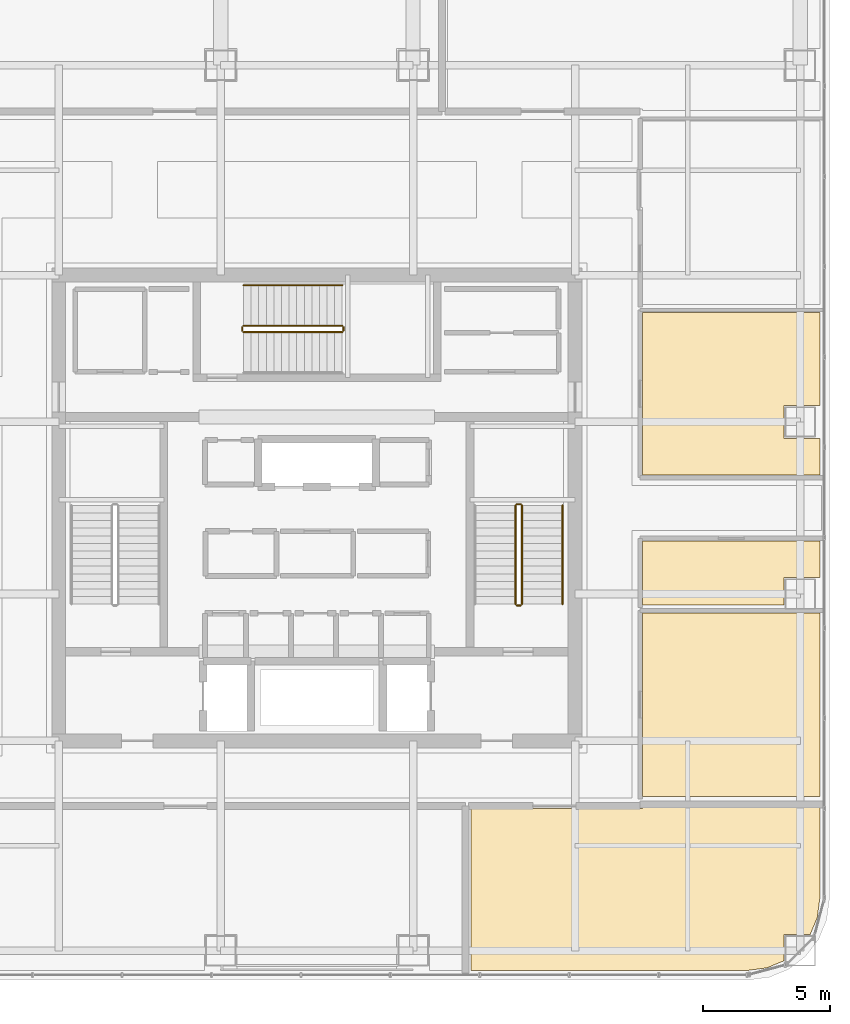
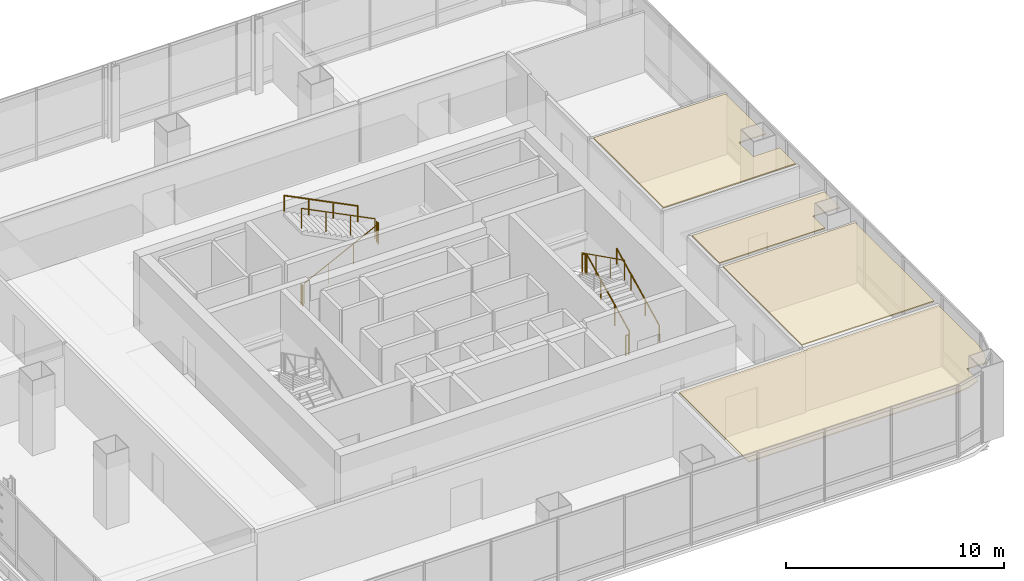
# One storey, part 41 of 42: 10 railings, 4 coverings.
"""IFC4 building model written with IfcOpenShell, lengths in metres."""

from ifc_helpers import new_model, si_unit, direction, frame, origin, origin_2d, place, context, subcontext, project, spatial, polyline, circle, outline, extrude, material, layer, layer_set, type_object, element, save


model = new_model("IFC4")

# Units and contexts
model_context = context("Model", 3, precision=1e-05, world=origin(), true_north=direction((0.0, 1.0)))
body_context = subcontext(model_context, "Body", "Model", "MODEL_VIEW")
ifc_project = project(units=[si_unit("LENGTHUNIT", "METRE"), si_unit("AREAUNIT", "SQUARE_METRE"), si_unit("VOLUMEUNIT", "CUBIC_METRE"), si_unit("PLANEANGLEUNIT", "RADIAN"), si_unit("MASSUNIT", "GRAM", prefix="KILO")], contexts=[model_context])

# Site, building, storey
site_placement = place(None, origin())
site = spatial("IfcSite", under=ifc_project, at=site_placement, CompositionType="ELEMENT")
building_placement = place(site_placement, origin())
building = spatial("IfcBuilding", under=site, at=building_placement, Name="Punatoya Terracotta Tower", CompositionType="ELEMENT")
storey_placement = place(building_placement, frame((0.0, 0.0, 304.800048828125)))
storey = spatial("IfcBuildingStorey", under=building, at=storey_placement, Name="L72", CompositionType="ELEMENT", Elevation=304.800048828125)

# Coverings
ifc_material_1 = material(Name="Acoustic Mineral Fibre Ceiling")
ifc_layer = layer(ifc_material_1, 0.06005859375)
ifc_layer_set = layer_set([ifc_layer], Name="Acoustic Mineral Fibre Ceiling")
covering_type = type_object("IfcCoveringType", Name="COV-CEIL-60", PredefinedType="CEILING", material=ifc_layer_set)
covering_1_placement = place(storey_placement, frame((0.0, 0.0, 3.389892578125)))
element("IfcCovering", 1, at=covering_1_placement, inside=storey, type_object=covering_type, Name="L72 Open-Plan Executive Bistro Lounge Acoustic Ceiling", PredefinedType="CEILING", context=body_context, shape_type="SweptSolid", body=[
    extrude(outline(polyline([(12.8701171875, -11.8701171875), (6.093994140625, -11.8701171875), (6.093994140625, -18.27001953125), (17.025146484375, -18.27001953125), (17.779052734375, -18.1708984375), (18.449951171875, -17.892822265625), (18.449951171875, -16.85009765625), (19.492919921875, -16.85009765625), (19.770751953125, -16.178955078125), (19.8701171875, -15.425048828125), (19.8701171875, -11.81005859375), (12.8701171875, -11.81005859375), (12.8701171875, -11.8701171875)])), origin(), (0.0, 0.0, 1.0), 0.06005859375),
])
covering_2_placement = place(storey_placement, frame((0.0, 0.0, 3.389892578125)))
element("IfcCovering", 2, at=covering_2_placement, inside=storey, type_object=covering_type, Name="L72 Catering Tea Pantry Acoustic Ceiling", PredefinedType="CEILING", context=body_context, shape_type="SweptSolid", body=[
    extrude(outline(polyline([(12.8701171875, -4.14990234375), (12.8701171875, -11.389892578125), (19.8701171875, -11.389892578125), (19.8701171875, -4.14990234375), (12.8701171875, -4.14990234375)])), origin(), (0.0, 0.0, 1.0), 0.06005859375),
])
covering_3_placement = place(storey_placement, frame((0.0, 0.0, 3.389892578125)))
element("IfcCovering", 3, at=covering_3_placement, inside=storey, type_object=covering_type, Name="L72 Open-Plan Private Dining Boardroom Acoustic Ceiling", PredefinedType="CEILING", context=body_context, shape_type="SweptSolid", body=[
    extrude(outline(polyline([(12.8701171875, -1.300048828125), (12.8701171875, -3.830078125), (18.449951171875, -3.830078125), (18.449951171875, -2.75), (19.8701171875, -2.75), (19.8701171875, -1.300048828125), (12.8701171875, -1.300048828125)])), origin(), (0.0, 0.0, 1.0), 0.06005859375),
])
covering_4_placement = place(storey_placement, frame((0.0, 0.0, 3.389892578125)))
element("IfcCovering", 4, at=covering_4_placement, inside=storey, type_object=covering_type, Name="L72 Open-Plan Wellness Relaxation Lounge Acoustic Ceiling", PredefinedType="CEILING", context=body_context, shape_type="SweptSolid", body=[
    extrude(outline(polyline([(12.8701171875, 1.300048828125), (19.8701171875, 1.300048828125), (19.8701171875, 2.75), (18.449951171875, 2.75), (18.449951171875, 4.050048828125), (19.8701171875, 4.050048828125), (19.8701171875, 7.72998046875), (12.8701171875, 7.72998046875), (12.8701171875, 1.300048828125)])), origin(), (0.0, 0.0, 1.0), 0.06005859375),
])

# Railings
ifc_material_2 = material(Name="Steel S355", Category="steel")
railing_type_1 = type_object("IfcRailingType", Name="RLG-GRD-1150", PredefinedType="GUARDRAIL", material=ifc_material_2)
railing_1_placement = place(storey_placement, frame((8.10009765625, -3.800048828125, 0.14990234375)))
element("IfcRailing", 5, at=railing_1_placement, inside=storey, type_object=railing_type_1, Name="L72 ST-2 stair guard 1", PredefinedType="GUARDRAIL", context=body_context, shape_type="SweptSolid", body=[
    extrude(circle(Radius=0.02392578125, at=origin_2d()), frame((0.0, 0.0, 1.1259765625), z_axis=(0.0, 0.894438388696, 0.447191199406), x_axis=(-1.0, 0.0, 0.0)), (0.0, 0.0, 1.0), 4.3603515625),
    extrude(circle(Radius=0.02099609375, at=origin_2d()), origin(), (0.0, 0.0, 1.0), 1.101806640625),
    extrude(circle(Radius=0.02099609375, at=origin_2d()), frame((0.0, 1.300048828125, 0.64990234375)), (0.0, 0.0, 1.0), 1.101806640625),
    extrude(circle(Radius=0.02099609375, at=origin_2d()), frame((0.0, 2.60009765625, 1.300048828125)), (0.0, 0.0, 1.0), 1.101806640625),
    extrude(circle(Radius=0.02099609375, at=origin_2d()), frame((0.0, 3.900146484375, 1.949951171875)), (0.0, 0.0, 1.0), 1.101806640625),
])
railing_2_placement = place(storey_placement, frame((8.050048828125, 0.14990234375, 2.099853515625)))
element("IfcRailing", 6, at=railing_2_placement, inside=storey, type_object=railing_type_1, Name="L72 ST-2 stair guard 2", PredefinedType="GUARDRAIL", context=body_context, shape_type="SweptSolid", body=[
    extrude(circle(Radius=0.02392578125, at=origin_2d()), frame((0.0, 0.0, 1.1259765625), z_axis=(-1.0, 0.0, 0.0), x_axis=(0.0, -1.0, 0.0)), (0.0, 0.0, 1.0), 0.150146484375),
    extrude(circle(Radius=0.02099609375, at=origin_2d()), origin(), (0.0, 0.0, 1.0), 1.101806640625),
    extrude(circle(Radius=0.02099609375, at=origin_2d()), frame((-0.150146484375, 0.0, 0.0)), (0.0, 0.0, 1.0), 1.101806640625),
])
railing_3_placement = place(storey_placement, frame((7.85009765625, 0.10009765625, 2.25)))
element("IfcRailing", 7, at=railing_3_placement, inside=storey, type_object=railing_type_1, Name="L72 ST-2 stair guard 3", PredefinedType="GUARDRAIL", context=body_context, shape_type="SweptSolid", body=[
    extrude(circle(Radius=0.02392578125, at=origin_2d()), frame((0.0, 0.0, 1.1259765625), z_axis=(0.0, -0.894438388696, 0.447191199406), x_axis=(1.0, 0.0, 0.0)), (0.0, 0.0, 1.0), 4.3603515625),
    extrude(circle(Radius=0.02099609375, at=origin_2d()), origin(), (0.0, 0.0, 1.0), 1.101806640625),
    extrude(circle(Radius=0.02099609375, at=origin_2d()), frame((0.0, -1.300048828125, 0.64990234375)), (0.0, 0.0, 1.0), 1.101806640625),
    extrude(circle(Radius=0.02099609375, at=origin_2d()), frame((0.0, -2.60009765625, 1.300048828125)), (0.0, 0.0, 1.0), 1.101806640625),
    extrude(circle(Radius=0.02099609375, at=origin_2d()), frame((0.0, -3.900146484375, 1.949951171875)), (0.0, 0.0, 1.0), 1.101806640625),
])
railing_4_placement = place(storey_placement, frame((8.050048828125, -3.85009765625, 0.0)))
element("IfcRailing", 8, at=railing_4_placement, inside=storey, type_object=railing_type_1, Name="L72 ST-2 stair guard 4", PredefinedType="GUARDRAIL", context=body_context, shape_type="SweptSolid", body=[
    extrude(circle(Radius=0.02392578125, at=origin_2d()), frame((0.0, 0.0, 1.1259765625), z_axis=(-1.0, 0.0, 0.0), x_axis=(0.0, -1.0, 0.0)), (0.0, 0.0, 1.0), 0.150146484375),
    extrude(circle(Radius=0.02099609375, at=origin_2d()), origin(), (0.0, 0.0, 1.0), 1.101806640625),
    extrude(circle(Radius=0.02099609375, at=origin_2d()), frame((-0.150146484375, 0.0, 0.0)), (0.0, 0.0, 1.0), 1.101806640625),
])
railing_5_placement = place(storey_placement, frame((-2.89990234375, 6.949951171875, 0.14990234375)))
element("IfcRailing", 9, at=railing_5_placement, inside=storey, type_object=railing_type_1, Name="L72 ST-3 stair guard 1", PredefinedType="GUARDRAIL", context=body_context, shape_type="SweptSolid", body=[
    extrude(circle(Radius=0.02392578125, at=origin_2d()), frame((0.0, 0.0, 1.1259765625), z_axis=(0.894427191, 0.0, 0.4472135955), x_axis=(0.0, 1.0, 0.0)), (0.0, 0.0, 1.0), 4.360107421875),
    extrude(circle(Radius=0.02099609375, at=origin_2d()), origin(), (0.0, 0.0, 1.0), 1.101806640625),
    extrude(circle(Radius=0.02099609375, at=origin_2d()), frame((1.300048828125, 0.0, 0.64990234375)), (0.0, 0.0, 1.0), 1.101806640625),
    extrude(circle(Radius=0.02099609375, at=origin_2d()), frame((2.599853515625, 0.0, 1.300048828125)), (0.0, 0.0, 1.0), 1.101806640625),
    extrude(circle(Radius=0.02099609375, at=origin_2d()), frame((3.89990234375, 0.0, 1.949951171875)), (0.0, 0.0, 1.0), 1.101806640625),
])
railing_6_placement = place(storey_placement, frame((1.050048828125, 7.0, 2.099853515625)))
element("IfcRailing", 10, at=railing_6_placement, inside=storey, type_object=railing_type_1, Name="L72 ST-3 stair guard 2", PredefinedType="GUARDRAIL", context=body_context, shape_type="SweptSolid", body=[
    extrude(circle(Radius=0.02392578125, at=origin_2d()), frame((0.0, 0.0, 1.1259765625), z_axis=(0.0, 1.0, 0.0), x_axis=(-1.0, 0.0, 0.0)), (0.0, 0.0, 1.0), 0.14990234375),
    extrude(circle(Radius=0.02099609375, at=origin_2d()), origin(), (0.0, 0.0, 1.0), 1.101806640625),
    extrude(circle(Radius=0.02099609375, at=origin_2d()), frame((0.0, 0.14990234375, 0.0)), (0.0, 0.0, 1.0), 1.101806640625),
])
railing_7_placement = place(storey_placement, frame((1.0, 7.199951171875, 2.25)))
element("IfcRailing", 11, at=railing_7_placement, inside=storey, type_object=railing_type_1, Name="L72 ST-3 stair guard 3", PredefinedType="GUARDRAIL", context=body_context, shape_type="SweptSolid", body=[
    extrude(circle(Radius=0.02392578125, at=origin_2d()), frame((0.0, 0.0, 1.1259765625), z_axis=(-0.894427191, 0.0, 0.4472135955), x_axis=(0.0, -1.0, 0.0)), (0.0, 0.0, 1.0), 4.360107421875),
    extrude(circle(Radius=0.02099609375, at=origin_2d()), origin(), (0.0, 0.0, 1.0), 1.101806640625),
    extrude(circle(Radius=0.02099609375, at=origin_2d()), frame((-1.300048828125, 0.0, 0.64990234375)), (0.0, 0.0, 1.0), 1.101806640625),
    extrude(circle(Radius=0.02099609375, at=origin_2d()), frame((-2.599853515625, 0.0, 1.300048828125)), (0.0, 0.0, 1.0), 1.101806640625),
    extrude(circle(Radius=0.02099609375, at=origin_2d()), frame((-3.89990234375, 0.0, 1.949951171875)), (0.0, 0.0, 1.0), 1.101806640625),
])
railing_8_placement = place(storey_placement, frame((-2.949951171875, 7.0, 0.0)))
element("IfcRailing", 12, at=railing_8_placement, inside=storey, type_object=railing_type_1, Name="L72 ST-3 stair guard 4", PredefinedType="GUARDRAIL", context=body_context, shape_type="SweptSolid", body=[
    extrude(circle(Radius=0.02392578125, at=origin_2d()), frame((0.0, 0.0, 1.1259765625), z_axis=(0.0, 1.0, 0.0), x_axis=(-1.0, 0.0, 0.0)), (0.0, 0.0, 1.0), 0.14990234375),
    extrude(circle(Radius=0.02099609375, at=origin_2d()), origin(), (0.0, 0.0, 1.0), 1.101806640625),
    extrude(circle(Radius=0.02099609375, at=origin_2d()), frame((0.0, 0.14990234375, 0.0)), (0.0, 0.0, 1.0), 1.101806640625),
])
railing_type_2 = type_object("IfcRailingType", Name="RLG-HND-900", PredefinedType="HANDRAIL", material=ifc_material_2)
railing_9_placement = place(storey_placement, frame((9.699951171875, -3.800048828125, 0.14990234375)))
element("IfcRailing", 13, at=railing_9_placement, inside=storey, type_object=railing_type_2, Name="L72 ST-2 stair handrail 1", PredefinedType="HANDRAIL", context=body_context, shape_type="SweptSolid", body=[
    extrude(circle(Radius=0.02392578125, at=origin_2d()), frame((0.0, 0.0, 0.8759765625), z_axis=(0.0, 0.894438388696, 0.447191199406), x_axis=(-1.0, 0.0, 0.0)), (0.0, 0.0, 1.0), 4.3603515625),
    extrude(circle(Radius=0.02099609375, at=origin_2d()), origin(), (0.0, 0.0, 1.0), 0.851806640625),
    extrude(circle(Radius=0.02099609375, at=origin_2d()), frame((0.0, 1.300048828125, 0.64990234375)), (0.0, 0.0, 1.0), 0.851806640625),
    extrude(circle(Radius=0.02099609375, at=origin_2d()), frame((0.0, 2.60009765625, 1.300048828125)), (0.0, 0.0, 1.0), 0.851806640625),
    extrude(circle(Radius=0.02099609375, at=origin_2d()), frame((0.0, 3.900146484375, 1.949951171875)), (0.0, 0.0, 1.0), 0.851806640625),
])
railing_10_placement = place(storey_placement, frame((1.0, 8.800048828125, 2.25)))
element("IfcRailing", 14, at=railing_10_placement, inside=storey, type_object=railing_type_2, Name="L72 ST-3 stair handrail 2", PredefinedType="HANDRAIL", context=body_context, shape_type="SweptSolid", body=[
    extrude(circle(Radius=0.02392578125, at=origin_2d()), frame((0.0, 0.0, 0.8759765625), z_axis=(-0.894427191, 0.0, 0.4472135955), x_axis=(0.0, -1.0, 0.0)), (0.0, 0.0, 1.0), 4.360107421875),
    extrude(circle(Radius=0.02099609375, at=origin_2d()), origin(), (0.0, 0.0, 1.0), 0.851806640625),
    extrude(circle(Radius=0.02099609375, at=origin_2d()), frame((-1.300048828125, 0.0, 0.64990234375)), (0.0, 0.0, 1.0), 0.851806640625),
    extrude(circle(Radius=0.02099609375, at=origin_2d()), frame((-2.599853515625, 0.0, 1.300048828125)), (0.0, 0.0, 1.0), 0.851806640625),
    extrude(circle(Radius=0.02099609375, at=origin_2d()), frame((-3.89990234375, 0.0, 1.949951171875)), (0.0, 0.0, 1.0), 0.851806640625),
])

save(model, "model.ifc")
